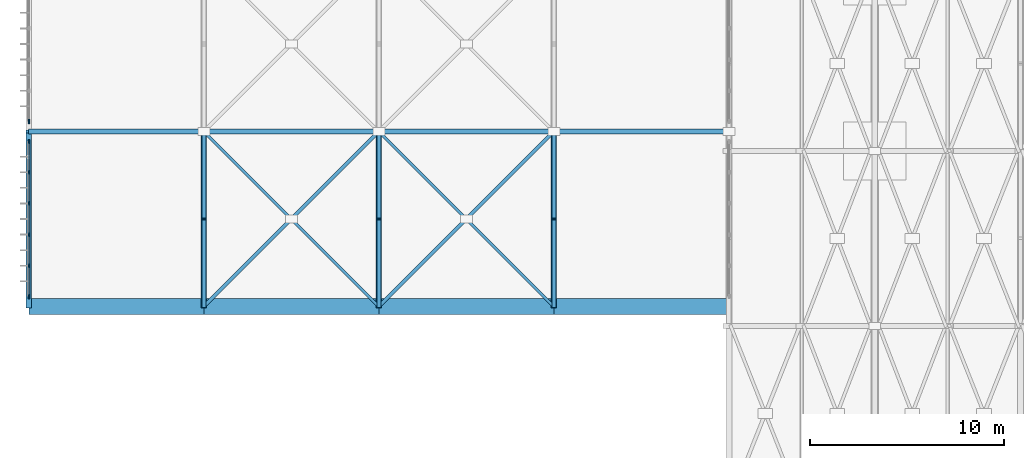
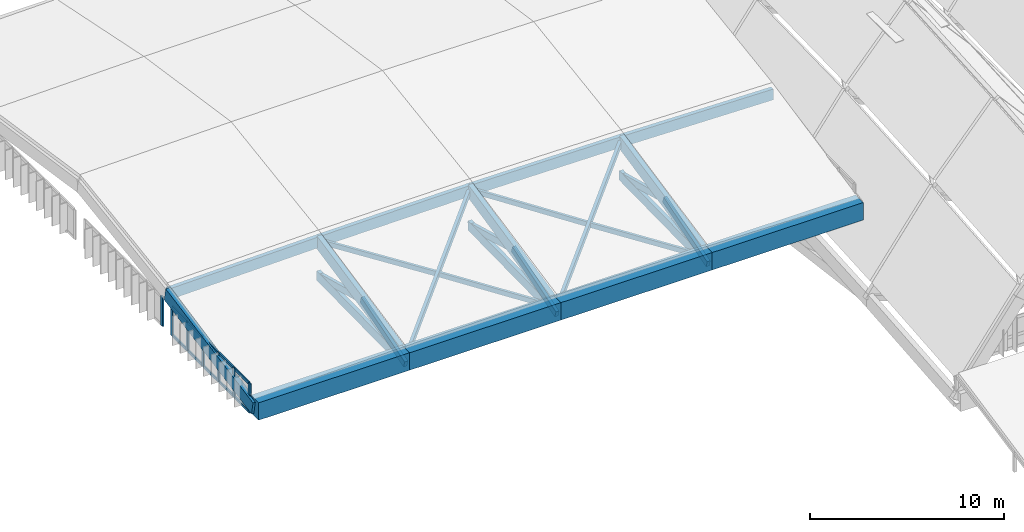
# One storey, part 22 of 93: 32 members, 12 beams, 2 elements without a shape of their own.
"""IFC4 building model written with IfcOpenShell, lengths in metres."""

from ifc_helpers import new_model, si_unit, direction, frame, origin, origin_2d, place, context, subcontext, project, spatial, rectangle, extrude, material, material_profile, profile_set, type_object, element, aggregate, save


model = new_model("IFC4")

# Units and contexts
model_context = context("Model", 3, precision=1e-05, world=origin(), true_north=direction((0.0, 1.0)))
body_context = subcontext(model_context, "Body", "Model", "MODEL_VIEW")
ifc_project = project(units=[si_unit("LENGTHUNIT", "METRE"), si_unit("AREAUNIT", "SQUARE_METRE"), si_unit("VOLUMEUNIT", "CUBIC_METRE"), si_unit("PLANEANGLEUNIT", "RADIAN"), si_unit("MASSUNIT", "GRAM", prefix="KILO")], contexts=[model_context])

# Site, building, storey
site_placement = place(None, origin())
site = spatial("IfcSite", under=ifc_project, at=site_placement, CompositionType="ELEMENT")
building_placement = place(site_placement, origin())
building = spatial("IfcBuilding", under=site, at=building_placement, Name="Vourika Railside Aquatics Centre", CompositionType="ELEMENT")
storey_placement = place(building_placement, frame((0.0, 0.0, 21.89990234375)))
storey = spatial("IfcBuildingStorey", under=building, at=storey_placement, Name="Roof", CompositionType="ELEMENT", Elevation=21.89990234375)

# Beams
ifc_material_1 = material(Name="Glulam GL32h", Category="wood")
ifc_material_profile_1 = material_profile(ifc_material_1, rectangle(XDim=0.239990234375, YDim=0.679931640625, at=origin_2d()), Name="GL32h 240x680")
ifc_profile_set_1 = profile_set([ifc_material_profile_1], Name="Glulam GL32h")
beam_type_1 = type_object("IfcBeamType", Name="BM-GL-DIVE-240x680", PredefinedType="BEAM", material=ifc_profile_set_1)
beam_1_placement = place(storey_placement, frame((0.0, 31.0, -3.97998046875), z_axis=(0.999807195748, 0.0, 0.019635970316), x_axis=(0.0, 1.0, 0.0)))
element("IfcBeam", 1, at=beam_1_placement, inside=storey, type_object=beam_type_1, Name="Diving Shell Transverse Tie Beam DRT-1-31", PredefinedType="BEAM", context=body_context, shape_type="SweptSolid", body=[
    extrude(rectangle(XDim=0.239990234375, YDim=0.679931640625, at=origin_2d()), origin(), (0.0, 0.0, 1.0), 9.001708984375),
])
for number, where, z_axis, x_axis, name in (
    (2, (9.0, 31.0, -3.80322265625), (0.999966887953, 0.0, 0.008137751367), (0.0, 1.0, 0.0), "Diving Shell Transverse Tie Beam DRT-2-31"),
    (3, (18.0, 31.0, -3.72998046875), (0.999966887953, 0.0, -0.008137751367), (0.0, 1.0, 0.0), "Diving Shell Transverse Tie Beam DRT-3-31"),
):
    element("IfcBeam", number, at=place(storey_placement, frame(where, z_axis=z_axis, x_axis=x_axis)), inside=storey, type_object=beam_type_1, Name=name, PredefinedType="BEAM", context=body_context, shape_type="SweptSolid", body=[
        extrude(rectangle(XDim=0.239990234375, YDim=0.679931640625, at=origin_2d()), origin(), (0.0, 0.0, 1.0), 9.000244140625),
    ])
beam_2_placement = place(storey_placement, frame((27.0, 31.0, -3.80322265625), z_axis=(0.999807195748, 0.0, -0.019635970316), x_axis=(0.0, 1.0, 0.0)))
element("IfcBeam", 4, at=beam_2_placement, inside=storey, type_object=beam_type_1, Name="Diving Shell Transverse Tie Beam DRT-4-31", PredefinedType="BEAM", context=body_context, shape_type="SweptSolid", body=[
    extrude(rectangle(XDim=0.239990234375, YDim=0.679931640625, at=origin_2d()), origin(), (0.0, 0.0, 1.0), 9.001708984375),
])
ifc_material_profile_2 = material_profile(ifc_material_1, rectangle(XDim=0.280029296875, YDim=0.800048828125, at=origin_2d()), Name="GL32h 280x800")
ifc_profile_set_2 = profile_set([ifc_material_profile_2], Name="Glulam GL32h")
beam_type_2 = type_object("IfcBeamType", Name="BM-GL-RIDGE-280x800", PredefinedType="BEAM", material=ifc_profile_set_2)
beam_3_placement = place(storey_placement, frame((0.0, 22.0, -5.699951171875), z_axis=(0.0, 0.982224343005, 0.187710788207), x_axis=(-1.0, 0.0, 0.0)))
element("IfcBeam", 5, at=beam_3_placement, inside=storey, type_object=beam_type_2, Name="Diving Roof Truss Arch Rib DAR-0239", PredefinedType="BEAM", context=body_context, shape_type="SweptSolid", body=[
    extrude(rectangle(XDim=0.280029296875, YDim=0.800048828125, at=origin_2d()), origin(), (0.0, 0.0, 1.0), 9.162841796875),
])
beam_4_placement = place(storey_placement, frame((9.0, 22.0, -5.699951171875), z_axis=(0.0, 0.978506110287, 0.206217826899), x_axis=(-1.0, 0.0, 0.0)))
element("IfcBeam", 6, at=beam_4_placement, inside=storey, type_object=beam_type_2, Name="Diving Roof Truss Arch Rib DAR-0243", PredefinedType="BEAM", context=body_context, shape_type="SweptSolid", body=[
    extrude(rectangle(XDim=0.280029296875, YDim=0.800048828125, at=origin_2d()), origin(), (0.0, 0.0, 1.0), 9.19775390625),
])
beam_5_placement = place(storey_placement, frame((18.0, 22.0, -5.699951171875), z_axis=(0.0, 0.976872349118, 0.213823323162), x_axis=(-1.0, 0.0, 0.0)))
element("IfcBeam", 7, at=beam_5_placement, inside=storey, type_object=beam_type_2, Name="Diving Roof Truss Arch Rib DAR-0247", PredefinedType="BEAM", context=body_context, shape_type="SweptSolid", body=[
    extrude(rectangle(XDim=0.280029296875, YDim=0.800048828125, at=origin_2d()), origin(), (0.0, 0.0, 1.0), 9.213134765625),
])
beam_6_placement = place(storey_placement, frame((27.0, 22.0, -5.699951171875), z_axis=(0.0, 0.978506110287, 0.206217826899), x_axis=(-1.0, 0.0, 0.0)))
element("IfcBeam", 8, at=beam_6_placement, inside=storey, type_object=beam_type_2, Name="Diving Roof Truss Arch Rib DAR-0251", PredefinedType="BEAM", context=body_context, shape_type="SweptSolid", body=[
    extrude(rectangle(XDim=0.280029296875, YDim=0.800048828125, at=origin_2d()), origin(), (0.0, 0.0, 1.0), 9.19775390625),
])
ifc_material_2 = material(Name="Concrete C40/50", Category="concrete")
ifc_material_profile_3 = material_profile(ifc_material_2, rectangle(XDim=0.800048828125, YDim=1.10009765625, at=origin_2d()), Name="RC 800x1100")
ifc_profile_set_3 = profile_set([ifc_material_profile_3], Name="Concrete C40/50")
beam_type_3 = type_object("IfcBeamType", Name="BM-RING-800x1100", PredefinedType="BEAM", material=ifc_profile_set_3)
for number, where, z_axis, x_axis, name in (
    (9, (0.0, 22.0, -5.699951171875), (1.0, 0.0, 0.0), (0.0, 1.0, 0.0), "Diving Hall Springing Beam S (0-9)"),
    (10, (9.0, 22.0, -5.699951171875), (1.0, 0.0, 0.0), (0.0, 1.0, 0.0), "Diving Hall Springing Beam S (9-18)"),
    (11, (18.0, 22.0, -5.699951171875), (1.0, 0.0, 0.0), (0.0, 1.0, 0.0), "Diving Hall Springing Beam S (18-27)"),
    (12, (27.0, 22.0, -5.699951171875), (1.0, 0.0, 0.0), (0.0, 1.0, 0.0), "Diving Hall Springing Beam S (27-36)"),
):
    element("IfcBeam", number, at=place(storey_placement, frame(where, z_axis=z_axis, x_axis=x_axis)), inside=storey, type_object=beam_type_3, Name=name, PredefinedType="BEAM", context=body_context, shape_type="SweptSolid", body=[
        extrude(rectangle(XDim=0.800048828125, YDim=1.10009765625, at=origin_2d()), origin(), (0.0, 0.0, 1.0), 9.0),
    ])

# Curtain wall, members
ifc_material_3 = material(Name="Anodized thermally broken aluminium", Category="aluminium")
curtain_wall_type = type_object("IfcCurtainWallType", Name="CW-DIVEW", PredefinedType="NOTDEFINED", material=ifc_material_3)
curtain_wall_1_placement = place(storey_placement, origin())
curtain_wall_1 = element("IfcCurtainWall", 13, at=curtain_wall_1_placement, inside=storey, type_object=curtain_wall_type, Name="Diving Hall West Clerestory Curtain Wall 1", PredefinedType="NOTDEFINED")
ifc_material_4 = material(Name="Anodized aluminium mullion", Category="aluminium")
ifc_material_profile_4 = material_profile(ifc_material_4, rectangle(XDim=0.077880859375, YDim=0.215087890625, at=origin_2d()), Name="ALU-M 78x215")
ifc_profile_set_4 = profile_set([ifc_material_profile_4], Name="Anodized aluminium mullion")
member_type_1 = type_object("IfcMemberType", Name="CWM-DIVEW", PredefinedType="MULLION", material=ifc_profile_set_4)
member_1_placement = place(storey_placement, frame((0.0, 30.48095703125, -6.2998046875), z_axis=(0.0, 0.0, 1.0), x_axis=(1.0, 0.0, 0.0)))
member_1 = element("IfcMember", 14, at=member_1_placement, type_object=member_type_1, Name="CW05 mullion 1", PredefinedType="MULLION", context=body_context, shape_type="SweptSolid", body=[
    extrude(rectangle(XDim=0.077880859375, YDim=0.215087890625, at=origin_2d()), origin(), (0.0, 0.0, 1.0), 1.849853515625),
])
member_2_placement = place(storey_placement, frame((0.0, 28.912109375, -6.2998046875), z_axis=(0.0, 0.0, 1.0), x_axis=(1.0, 0.0, 0.0)))
member_2 = element("IfcMember", 15, at=member_2_placement, type_object=member_type_1, Name="CW05 mullion 2", PredefinedType="MULLION", context=body_context, shape_type="SweptSolid", body=[
    extrude(rectangle(XDim=0.077880859375, YDim=0.215087890625, at=origin_2d()), origin(), (0.0, 0.0, 1.0), 1.849853515625),
])
member_3_placement = place(storey_placement, frame((0.0, 27.303955078125, -6.2998046875), z_axis=(0.0, 0.0, 1.0), x_axis=(1.0, 0.0, 0.0)))
member_3 = element("IfcMember", 16, at=member_3_placement, type_object=member_type_1, Name="CW05 mullion 3", PredefinedType="MULLION", context=body_context, shape_type="SweptSolid", body=[
    extrude(rectangle(XDim=0.077880859375, YDim=0.215087890625, at=origin_2d()), origin(), (0.0, 0.0, 1.0), 1.849853515625),
])
member_4_placement = place(storey_placement, frame((0.0, 25.696044921875, -6.2998046875), z_axis=(0.0, 0.0, 1.0), x_axis=(1.0, 0.0, 0.0)))
member_4 = element("IfcMember", 17, at=member_4_placement, type_object=member_type_1, Name="CW05 mullion 4", PredefinedType="MULLION", context=body_context, shape_type="SweptSolid", body=[
    extrude(rectangle(XDim=0.077880859375, YDim=0.215087890625, at=origin_2d()), origin(), (0.0, 0.0, 1.0), 1.849853515625),
])
member_5_placement = place(storey_placement, frame((0.0, 24.087890625, -6.2998046875), z_axis=(0.0, 0.0, 1.0), x_axis=(1.0, 0.0, 0.0)))
member_5 = element("IfcMember", 18, at=member_5_placement, type_object=member_type_1, Name="CW05 mullion 5", PredefinedType="MULLION", context=body_context, shape_type="SweptSolid", body=[
    extrude(rectangle(XDim=0.077880859375, YDim=0.215087890625, at=origin_2d()), origin(), (0.0, 0.0, 1.0), 1.849853515625),
])
member_6_placement = place(storey_placement, frame((0.0, 22.51904296875, -6.2998046875), z_axis=(0.0, 0.0, 1.0), x_axis=(1.0, 0.0, 0.0)))
member_6 = element("IfcMember", 19, at=member_6_placement, type_object=member_type_1, Name="CW05 mullion 6", PredefinedType="MULLION", context=body_context, shape_type="SweptSolid", body=[
    extrude(rectangle(XDim=0.077880859375, YDim=0.215087890625, at=origin_2d()), origin(), (0.0, 0.0, 1.0), 1.849853515625),
])

# Curtain wall, member
curtain_wall_2_placement = place(storey_placement, origin())
curtain_wall_2 = element("IfcCurtainWall", 20, at=curtain_wall_2_placement, inside=storey, type_object=curtain_wall_type, Name="Diving Hall West Clerestory Curtain Wall 2", PredefinedType="NOTDEFINED")
member_7_placement = place(storey_placement, frame((0.0, 31.51904296875, -6.2998046875), z_axis=(0.0, 0.0, 1.0), x_axis=(1.0, 0.0, 0.0)))
member_7 = element("IfcMember", 21, at=member_7_placement, type_object=member_type_1, Name="CW05 mullion 6", PredefinedType="MULLION", context=body_context, shape_type="SweptSolid", body=[
    extrude(rectangle(XDim=0.077880859375, YDim=0.215087890625, at=origin_2d()), origin(), (0.0, 0.0, 1.0), 1.849853515625),
])
aggregate(curtain_wall_2, [member_7])

# Member
ifc_material_5 = material(Name="Anodized aluminium transom", Category="aluminium")
ifc_material_profile_5 = material_profile(ifc_material_5, rectangle(XDim=0.077880859375, YDim=0.169921875, at=origin_2d()), Name="ALU-T 78x170")
ifc_profile_set_5 = profile_set([ifc_material_profile_5], Name="Anodized aluminium transom")
member_type_2 = type_object("IfcMemberType", Name="CWT-DIVEW", PredefinedType="USERDEFINED", material=ifc_profile_set_5)
member_8_placement = place(storey_placement, frame((0.0, 30.44189453125, -6.260986328125), z_axis=(0.0, -1.0, 0.0), x_axis=(1.0, 0.0, 0.0)))
member_8 = element("IfcMember", 22, at=member_8_placement, type_object=member_type_2, Name="CW05 transom 1.1", ObjectType="TRANSOM", PredefinedType="USERDEFINED", context=body_context, shape_type="SweptSolid", body=[
    extrude(rectangle(XDim=0.077880859375, YDim=0.169921875, at=origin_2d()), origin(), (0.0, 0.0, 1.0), 1.490966796875),
])

member_9_placement = place(storey_placement, frame((0.0, 30.44189453125, -4.489013671875), z_axis=(0.0, -1.0, 0.0), x_axis=(1.0, 0.0, 0.0)))
member_9 = element("IfcMember", 23, at=member_9_placement, type_object=member_type_2, Name="CW05 transom 1.2", ObjectType="TRANSOM", PredefinedType="USERDEFINED", context=body_context, shape_type="SweptSolid", body=[
    extrude(rectangle(XDim=0.077880859375, YDim=0.169921875, at=origin_2d()), origin(), (0.0, 0.0, 1.0), 1.490966796875),
])

member_10_placement = place(storey_placement, frame((0.0, 28.873046875, -6.260986328125), z_axis=(0.0, -1.0, 0.0), x_axis=(1.0, 0.0, 0.0)))
member_10 = element("IfcMember", 24, at=member_10_placement, type_object=member_type_2, Name="CW05 transom 2.1", ObjectType="TRANSOM", PredefinedType="USERDEFINED", context=body_context, shape_type="SweptSolid", body=[
    extrude(rectangle(XDim=0.077880859375, YDim=0.169921875, at=origin_2d()), origin(), (0.0, 0.0, 1.0), 1.530029296875),
])

member_11_placement = place(storey_placement, frame((0.0, 28.873046875, -4.489013671875), z_axis=(0.0, -1.0, 0.0), x_axis=(1.0, 0.0, 0.0)))
member_11 = element("IfcMember", 25, at=member_11_placement, type_object=member_type_2, Name="CW05 transom 2.2", ObjectType="TRANSOM", PredefinedType="USERDEFINED", context=body_context, shape_type="SweptSolid", body=[
    extrude(rectangle(XDim=0.077880859375, YDim=0.169921875, at=origin_2d()), origin(), (0.0, 0.0, 1.0), 1.530029296875),
])

member_12_placement = place(storey_placement, frame((0.0, 27.264892578125, -6.260986328125), z_axis=(0.0, -1.0, 0.0), x_axis=(1.0, 0.0, 0.0)))
member_12 = element("IfcMember", 26, at=member_12_placement, type_object=member_type_2, Name="CW05 transom 3.1", ObjectType="TRANSOM", PredefinedType="USERDEFINED", context=body_context, shape_type="SweptSolid", body=[
    extrude(rectangle(XDim=0.077880859375, YDim=0.169921875, at=origin_2d()), origin(), (0.0, 0.0, 1.0), 1.52978515625),
])

member_13_placement = place(storey_placement, frame((0.0, 27.264892578125, -4.489013671875), z_axis=(0.0, -1.0, 0.0), x_axis=(1.0, 0.0, 0.0)))
member_13 = element("IfcMember", 27, at=member_13_placement, type_object=member_type_2, Name="CW05 transom 3.2", ObjectType="TRANSOM", PredefinedType="USERDEFINED", context=body_context, shape_type="SweptSolid", body=[
    extrude(rectangle(XDim=0.077880859375, YDim=0.169921875, at=origin_2d()), origin(), (0.0, 0.0, 1.0), 1.52978515625),
])

member_14_placement = place(storey_placement, frame((0.0, 25.656982421875, -6.260986328125), z_axis=(0.0, -1.0, 0.0), x_axis=(1.0, 0.0, 0.0)))
member_14 = element("IfcMember", 28, at=member_14_placement, type_object=member_type_2, Name="CW05 transom 4.1", ObjectType="TRANSOM", PredefinedType="USERDEFINED", context=body_context, shape_type="SweptSolid", body=[
    extrude(rectangle(XDim=0.077880859375, YDim=0.169921875, at=origin_2d()), origin(), (0.0, 0.0, 1.0), 1.530029296875),
])

member_15_placement = place(storey_placement, frame((0.0, 25.656982421875, -4.489013671875), z_axis=(0.0, -1.0, 0.0), x_axis=(1.0, 0.0, 0.0)))
member_15 = element("IfcMember", 29, at=member_15_placement, type_object=member_type_2, Name="CW05 transom 4.2", ObjectType="TRANSOM", PredefinedType="USERDEFINED", context=body_context, shape_type="SweptSolid", body=[
    extrude(rectangle(XDim=0.077880859375, YDim=0.169921875, at=origin_2d()), origin(), (0.0, 0.0, 1.0), 1.530029296875),
])

member_16_placement = place(storey_placement, frame((0.0, 24.049072265625, -6.260986328125), z_axis=(0.0, -1.0, 0.0), x_axis=(1.0, 0.0, 0.0)))
member_16 = element("IfcMember", 30, at=member_16_placement, type_object=member_type_2, Name="CW05 transom 5.1", ObjectType="TRANSOM", PredefinedType="USERDEFINED", context=body_context, shape_type="SweptSolid", body=[
    extrude(rectangle(XDim=0.077880859375, YDim=0.169921875, at=origin_2d()), origin(), (0.0, 0.0, 1.0), 1.490966796875),
])

member_17_placement = place(storey_placement, frame((0.0, 24.049072265625, -4.489013671875), z_axis=(0.0, -1.0, 0.0), x_axis=(1.0, 0.0, 0.0)))
member_17 = element("IfcMember", 31, at=member_17_placement, type_object=member_type_2, Name="CW05 transom 5.2", ObjectType="TRANSOM", PredefinedType="USERDEFINED", context=body_context, shape_type="SweptSolid", body=[
    extrude(rectangle(XDim=0.077880859375, YDim=0.169921875, at=origin_2d()), origin(), (0.0, 0.0, 1.0), 1.490966796875),
])

aggregate(curtain_wall_1, [member_1, member_2, member_3, member_4, member_5, member_6, member_8, member_9, member_10, member_11, member_12, member_13, member_14, member_15, member_16, member_17])

# Members
ifc_material_profile_6 = material_profile(ifc_material_1, rectangle(XDim=0.219970703125, YDim=0.60009765625, at=origin_2d()), Name="GL32h 220x600")
ifc_profile_set_6 = profile_set([ifc_material_profile_6], Name="Glulam GL32h")
member_type_3 = type_object("IfcMemberType", Name="MEM-GL-CHORD", PredefinedType="CHORD", material=ifc_profile_set_6)
for number, where, z_axis, x_axis, name in (
    (32, (9.0, 22.0, -6.099853515625), (0.0, 0.99986132075, 0.016653506156), (-1.0, 0.0, 0.0), "Diving Roof Truss Bottom Chord DBC-0243"),
    (33, (18.0, 22.0, -6.099853515625), (0.0, 0.99986132075, 0.016653506156), (-1.0, 0.0, 0.0), "Diving Roof Truss Bottom Chord DBC-0247"),
    (34, (27.0, 22.0, -6.099853515625), (0.0, 0.99986132075, 0.016653506156), (-1.0, 0.0, 0.0), "Diving Roof Truss Bottom Chord DBC-0251"),
):
    element("IfcMember", number, at=place(storey_placement, frame(where, z_axis=z_axis, x_axis=x_axis)), inside=storey, type_object=member_type_3, Name=name, PredefinedType="CHORD", context=body_context, shape_type="SweptSolid", body=[
        extrude(rectangle(XDim=0.219970703125, YDim=0.60009765625, at=origin_2d()), origin(), (0.0, 0.0, 1.0), 9.001220703125),
    ])
ifc_material_6 = material(Name="Glulam GL28h", Category="wood")
ifc_material_profile_7 = material_profile(ifc_material_6, rectangle(XDim=0.179931640625, YDim=0.360107421875, at=origin_2d()), Name="GL28h 180x360")
ifc_profile_set_7 = profile_set([ifc_material_profile_7], Name="Glulam GL28h")
member_type_4 = type_object("IfcMemberType", Name="MEM-GL-LATH1", PredefinedType="BRACE", material=ifc_profile_set_7)
member_18_placement = place(storey_placement, frame((9.0, 22.0, -5.699951171875), z_axis=(0.698786440266, 0.698786440266, 0.152954312785), x_axis=(-0.707106781187, 0.707106781187, 0.0)))
element("IfcMember", 35, at=member_18_placement, inside=storey, type_object=member_type_4, Name="Diving Roof Continuous Diagonal Lath DGLA-0413", PredefinedType="BRACE", context=body_context, shape_type="SweptSolid", body=[
    extrude(rectangle(XDim=0.179931640625, YDim=0.360107421875, at=origin_2d()), origin(), (0.0, 0.0, 1.0), 12.87939453125),
])
member_19_placement = place(storey_placement, frame((18.0, 22.0, -5.699951171875), z_axis=(0.699383718411, 0.699383718411, 0.147393449119), x_axis=(-0.707106781187, 0.707106781187, 0.0)))
element("IfcMember", 36, at=member_19_placement, inside=storey, type_object=member_type_4, Name="Diving Roof Continuous Diagonal Lath DGLA-0421", PredefinedType="BRACE", context=body_context, shape_type="SweptSolid", body=[
    extrude(rectangle(XDim=0.179931640625, YDim=0.360107421875, at=origin_2d()), origin(), (0.0, 0.0, 1.0), 12.868408203125),
])
ifc_material_profile_8 = material_profile(ifc_material_6, rectangle(XDim=0.14990234375, YDim=0.300048828125, at=origin_2d()), Name="GL28h 150x300")
ifc_profile_set_8 = profile_set([ifc_material_profile_8], Name="Glulam GL28h")
member_type_5 = type_object("IfcMemberType", Name="MEM-GL-LATH3", PredefinedType="BRACE", material=ifc_profile_set_8)
member_20_placement = place(storey_placement, frame((18.0, 22.0, -5.699951171875), z_axis=(-0.698784414109, 0.698784414109, 0.152972825029), x_axis=(-0.707106781187, -0.707106781187, 0.0)))
element("IfcMember", 37, at=member_20_placement, inside=storey, type_object=member_type_5, Name="Diving Roof Split Counter Lath DGLB1-0414", PredefinedType="BRACE", context=body_context, shape_type="SweptSolid", body=[
    extrude(rectangle(XDim=0.14990234375, YDim=0.300048828125, at=origin_2d()), origin(), (0.0, 0.0, 1.0), 6.439697265625),
])
member_21_placement = place(storey_placement, frame((13.5, 26.5, -4.71484375), z_axis=(-0.69996170227, 0.69996170227, 0.141799967246), x_axis=(-0.707106781187, -0.707106781187, 0.0)))
element("IfcMember", 38, at=member_21_placement, inside=storey, type_object=member_type_5, Name="Diving Roof Split Counter Lath DGLB2-0414", PredefinedType="BRACE", context=body_context, shape_type="SweptSolid", body=[
    extrude(rectangle(XDim=0.14990234375, YDim=0.300048828125, at=origin_2d()), origin(), (0.0, 0.0, 1.0), 6.428955078125),
])
member_22_placement = place(storey_placement, frame((27.0, 22.0, -5.699951171875), z_axis=(-0.699381762573, 0.699381762573, 0.147412008876), x_axis=(-0.707106781187, -0.707106781187, 0.0)))
element("IfcMember", 39, at=member_22_placement, inside=storey, type_object=member_type_5, Name="Diving Roof Split Counter Lath DGLB1-0422", PredefinedType="BRACE", context=body_context, shape_type="SweptSolid", body=[
    extrude(rectangle(XDim=0.14990234375, YDim=0.300048828125, at=origin_2d()), origin(), (0.0, 0.0, 1.0), 6.434326171875),
])
member_23_placement = place(storey_placement, frame((22.5, 26.5, -4.75146484375), z_axis=(-0.698170246218, 0.698170246218, 0.158482221689), x_axis=(-0.707106781187, -0.707106781187, 0.0)))
element("IfcMember", 40, at=member_23_placement, inside=storey, type_object=member_type_5, Name="Diving Roof Split Counter Lath DGLB2-0422", PredefinedType="BRACE", context=body_context, shape_type="SweptSolid", body=[
    extrude(rectangle(XDim=0.14990234375, YDim=0.300048828125, at=origin_2d()), origin(), (0.0, 0.0, 1.0), 6.4453125),
])
ifc_material_profile_9 = material_profile(ifc_material_6, rectangle(XDim=0.199951171875, YDim=0.39990234375, at=origin_2d()), Name="GL28h 200x400")
ifc_profile_set_9 = profile_set([ifc_material_profile_9], Name="Glulam GL28h")
member_type_6 = type_object("IfcMemberType", Name="MEM-GL-STRUT1", PredefinedType="STRUT", material=ifc_profile_set_9)
member_24_placement = place(storey_placement, frame((9.0, 22.0, -6.099853515625), z_axis=(0.0, 0.957920638694, 0.287033186171), x_axis=(-1.0, 0.0, 0.0)))
element("IfcMember", 41, at=member_24_placement, inside=storey, type_object=member_type_6, Name="Diving Roof Warren Web Strut A DWA-0243", PredefinedType="STRUT", context=body_context, shape_type="SweptSolid", body=[
    extrude(rectangle(XDim=0.199951171875, YDim=0.39990234375, at=origin_2d()), origin(), (0.0, 0.0, 1.0), 4.69775390625),
])
member_25_placement = place(storey_placement, frame((9.0, 26.5, -4.75146484375), z_axis=(0.0, 0.96631581505, -0.25735917622), x_axis=(-1.0, 0.0, 0.0)))
element("IfcMember", 42, at=member_25_placement, inside=storey, type_object=member_type_6, Name="Diving Roof Warren Web Strut B DWB-0243", PredefinedType="STRUT", context=body_context, shape_type="SweptSolid", body=[
    extrude(rectangle(XDim=0.199951171875, YDim=0.39990234375, at=origin_2d()), origin(), (0.0, 0.0, 1.0), 4.656982421875),
])
member_26_placement = place(storey_placement, frame((18.0, 22.0, -6.099853515625), z_axis=(0.0, 0.95575546157, 0.294162366183), x_axis=(-1.0, 0.0, 0.0)))
element("IfcMember", 43, at=member_26_placement, inside=storey, type_object=member_type_6, Name="Diving Roof Warren Web Strut A DWA-0247", PredefinedType="STRUT", context=body_context, shape_type="SweptSolid", body=[
    extrude(rectangle(XDim=0.199951171875, YDim=0.39990234375, at=origin_2d()), origin(), (0.0, 0.0, 1.0), 4.708251953125),
])
member_27_placement = place(storey_placement, frame((18.0, 26.5, -4.71484375), z_axis=(0.0, 0.964336360268, -0.264679776834), x_axis=(-1.0, 0.0, 0.0)))
element("IfcMember", 44, at=member_27_placement, inside=storey, type_object=member_type_6, Name="Diving Roof Warren Web Strut B DWB-0247", PredefinedType="STRUT", context=body_context, shape_type="SweptSolid", body=[
    extrude(rectangle(XDim=0.199951171875, YDim=0.39990234375, at=origin_2d()), origin(), (0.0, 0.0, 1.0), 4.66650390625),
])
member_28_placement = place(storey_placement, frame((27.0, 22.0, -6.099853515625), z_axis=(0.0, 0.957920638694, 0.287033186171), x_axis=(-1.0, 0.0, 0.0)))
element("IfcMember", 45, at=member_28_placement, inside=storey, type_object=member_type_6, Name="Diving Roof Warren Web Strut A DWA-0251", PredefinedType="STRUT", context=body_context, shape_type="SweptSolid", body=[
    extrude(rectangle(XDim=0.199951171875, YDim=0.39990234375, at=origin_2d()), origin(), (0.0, 0.0, 1.0), 4.69775390625),
])
member_29_placement = place(storey_placement, frame((27.0, 26.5, -4.75146484375), z_axis=(0.0, 0.96631581505, -0.25735917622), x_axis=(-1.0, 0.0, 0.0)))
element("IfcMember", 46, at=member_29_placement, inside=storey, type_object=member_type_6, Name="Diving Roof Warren Web Strut B DWB-0251", PredefinedType="STRUT", context=body_context, shape_type="SweptSolid", body=[
    extrude(rectangle(XDim=0.199951171875, YDim=0.39990234375, at=origin_2d()), origin(), (0.0, 0.0, 1.0), 4.656982421875),
])

save(model, "model.ifc")
